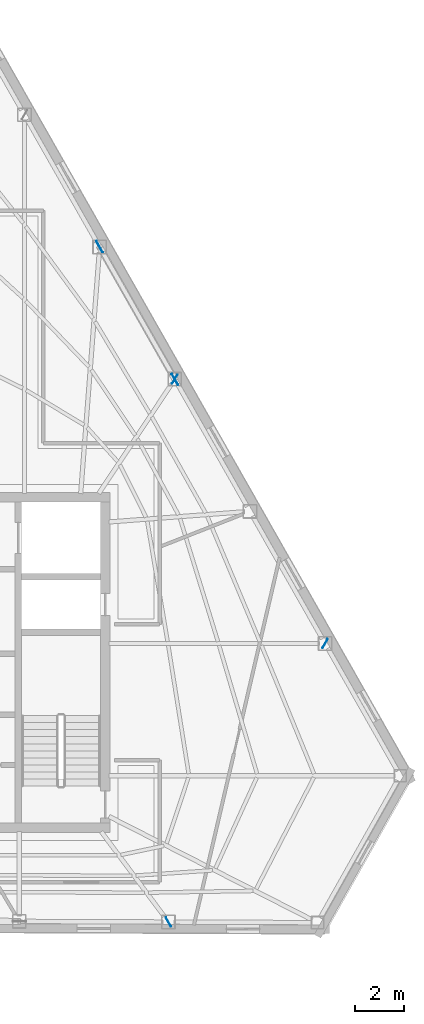
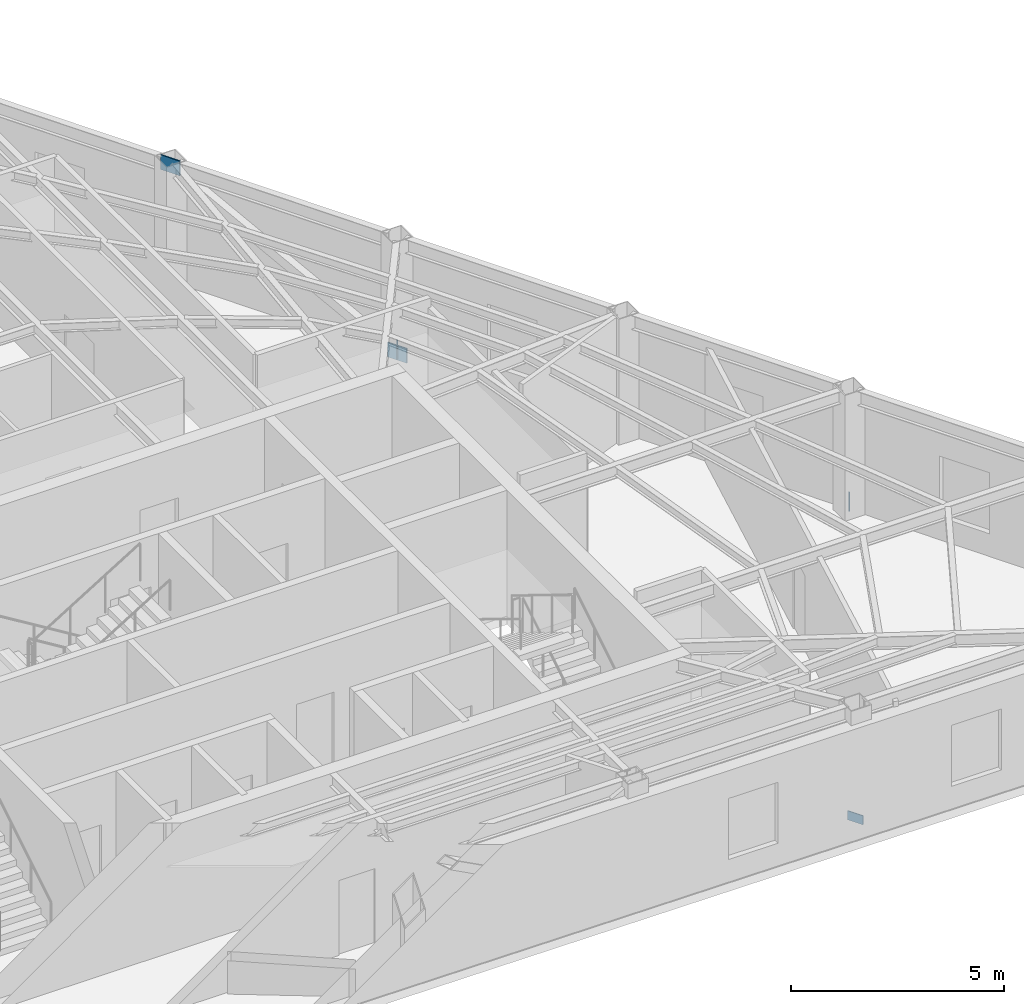
# One storey, part 5 of 10: 5 plates.
"""IFC4 building model written with IfcOpenShell, lengths in metres."""

from ifc_helpers import new_model, si_unit, direction, frame, origin, origin_2d, place, context, subcontext, project, spatial, rectangle, extrude, material, layer, layer_set, type_object, element, save


model = new_model("IFC4")

# Units and contexts
model_context = context("Model", 3, precision=1e-05, world=origin(), true_north=direction((0.0, 1.0)))
body_context = subcontext(model_context, "Body", "Model", "MODEL_VIEW")
ifc_project = project(units=[si_unit("LENGTHUNIT", "METRE"), si_unit("AREAUNIT", "SQUARE_METRE"), si_unit("VOLUMEUNIT", "CUBIC_METRE"), si_unit("PLANEANGLEUNIT", "RADIAN"), si_unit("MASSUNIT", "GRAM", prefix="KILO")], contexts=[model_context])

# Site, building, storey
site_placement = place(None, origin())
site = spatial("IfcSite", under=ifc_project, at=site_placement, CompositionType="ELEMENT")
building_placement = place(site_placement, origin())
building = spatial("IfcBuilding", under=site, at=building_placement, Name="Kavelnor Concourse Tower", CompositionType="ELEMENT")
storey_placement = place(building_placement, frame((0.0, 0.0, 239.5)))
storey = spatial("IfcBuildingStorey", under=building, at=storey_placement, Name="L60", CompositionType="ELEMENT", Elevation=239.5)

# Plates
ifc_material = material(Name="Steel Grade 350", Category="steel")
ifc_layer_1 = layer(ifc_material, 0.031982421875, Name="Steel Grade 350")
ifc_layer_set_1 = layer_set([ifc_layer_1], Name="Steel Grade 350")
plate_type_1 = type_object("IfcPlateType", Name="PL-GUSSET-TUBE-Z1", PredefinedType="USERDEFINED", material=ifc_layer_set_1)
for number, where, z_axis, x_axis, name in (
    (1, (50.533447265625, 27.567138671875, 0.010009765625), (0.0, 0.0, 1.0), (-0.494245347472, 0.869322458298, 0.0), "L60 Tube Brace Gusset GP3 F2-B3 End Gusset A"),
    (2, (47.477783203125, 32.94140625, 3.197021484375), (0.0, 0.0, 1.0), (-0.494245347472, 0.869322458298, 0.0), "L60 Tube Brace Gusset GP3 F2-B3 End Gusset B"),
):
    element("IfcPlate", number, at=place(storey_placement, frame(where, z_axis=z_axis, x_axis=x_axis)), inside=storey, type_object=plate_type_1, Name=name, ObjectType="GUSSET_PLATE", PredefinedType="USERDEFINED", context=body_context, shape_type="SweptSolid", body=[
        extrude(rectangle(XDim=0.52001953125, YDim=0.031982421875, at=origin_2d()), origin(), (0.0, 0.0, 1.0), 0.419921875),
    ])
ifc_layer_2 = layer(ifc_material, 0.02490234375, Name="Steel Grade 350")
ifc_layer_set_2 = layer_set([ifc_layer_2], Name="Steel Grade 350")
plate_type_2 = type_object("IfcPlateType", Name="PL-SPLICE-FLANGE", PredefinedType="SHEET", material=ifc_layer_set_2)
for number, where, z_axis, x_axis, name in (
    (3, (50.2685546875, 5.591796875, 0.169921875), (0.0, 0.0, 1.0), (-0.5, 0.866025403784, 0.0), "L60 Column Flange Splice Plate F1-B5"),
    (4, (56.615478515625, 16.87060546875, 0.169921875), (0.0, 0.0, 1.0), (-0.5, -0.866025403784, 0.0), "L60 Column Flange Splice Plate F2-B1"),
    (5, (50.527587890625, 27.577392578125, 0.169921875), (0.0, 0.0, 1.0), (-0.5, -0.866025403784, 0.0), "L60 Column Flange Splice Plate F2-B3"),
):
    element("IfcPlate", number, at=place(storey_placement, frame(where, z_axis=z_axis, x_axis=x_axis)), inside=storey, type_object=plate_type_2, Name=name, PredefinedType="SHEET", context=body_context, shape_type="SweptSolid", body=[
        extrude(rectangle(XDim=0.419921875, YDim=0.02490234375, at=origin_2d()), origin(), (0.0, 0.0, 1.0), 0.260009765625),
    ])

save(model, "model.ifc")
